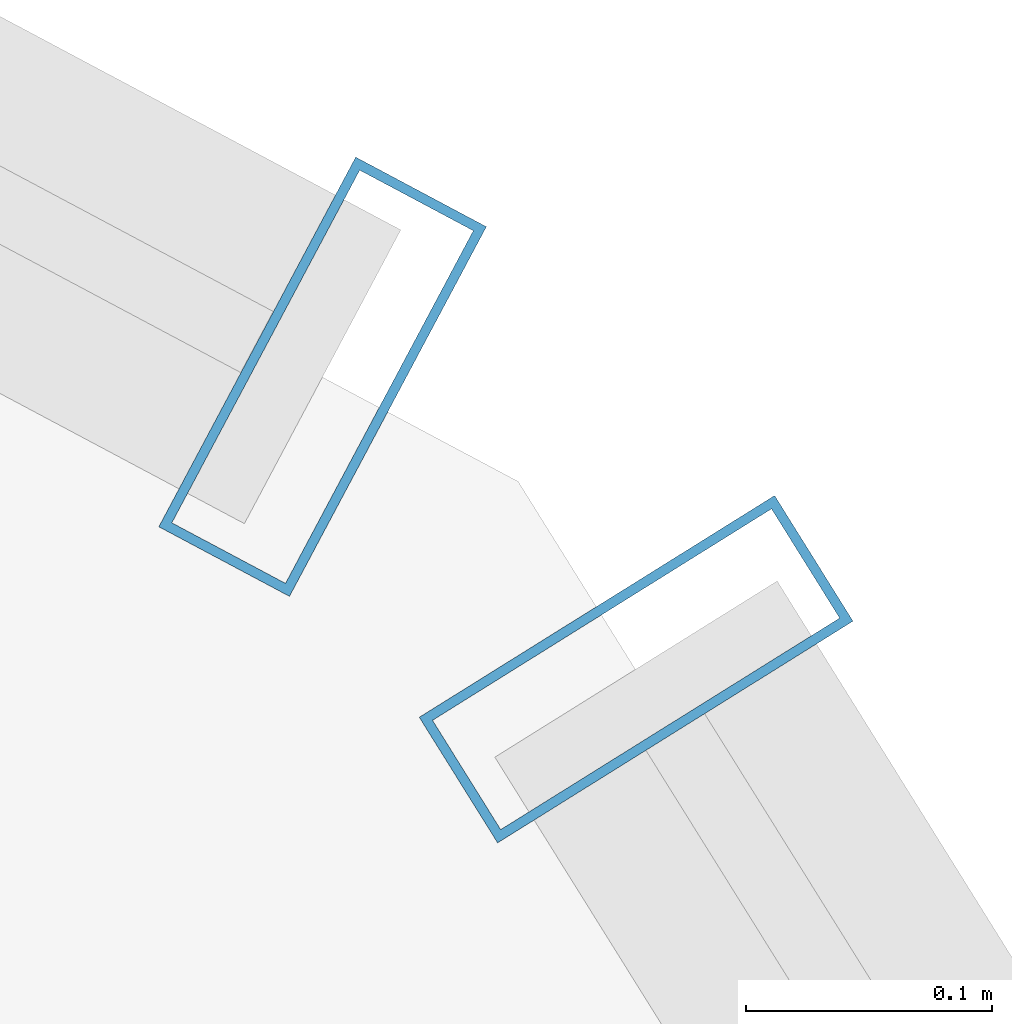
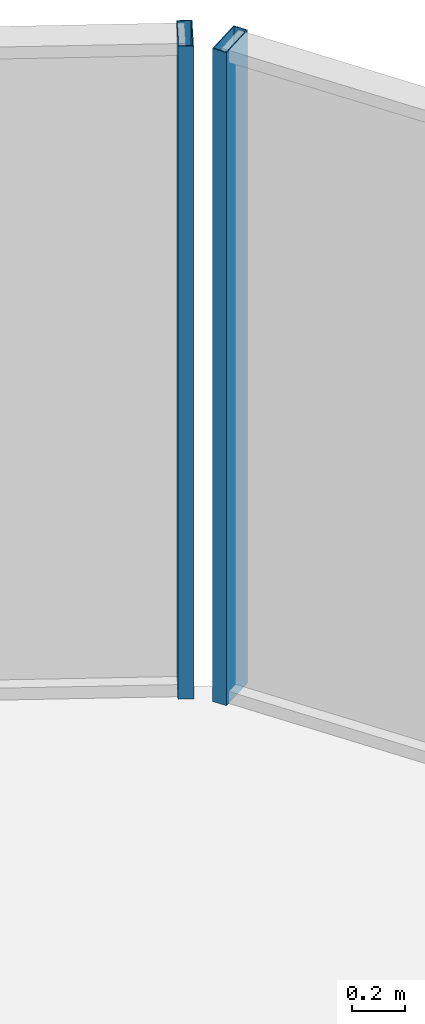
# One storey, part 33 of 39: 2 members, 2 elements without a shape of their own.
"""IFC4 building model written with IfcOpenShell, lengths in metres."""

from ifc_helpers import new_model, si_unit, direction, frame, origin, origin_2d, place, context, subcontext, project, spatial, hollow_rectangle, extrude, source, transform, mapped, material, layer, layer_set, material_profile, profile_set, type_object, element, aggregate, save


model = new_model("IFC4")

# Units and contexts
model_context = context("Model", 3, precision=1e-05, world=origin(), true_north=direction((0.0, 1.0)))
body_context = subcontext(model_context, "Body", "Model", "MODEL_VIEW")
ifc_project = project(units=[si_unit("LENGTHUNIT", "METRE"), si_unit("AREAUNIT", "SQUARE_METRE"), si_unit("VOLUMEUNIT", "CUBIC_METRE"), si_unit("PLANEANGLEUNIT", "RADIAN"), si_unit("MASSUNIT", "GRAM", prefix="KILO")], contexts=[model_context])

# Site, building, storey
site_placement = place(None, origin())
site = spatial("IfcSite", under=ifc_project, at=site_placement, CompositionType="ELEMENT")
building_placement = place(site_placement, origin())
building = spatial("IfcBuilding", under=site, at=building_placement, Name="Veraguas Prism Commons", CompositionType="ELEMENT")
storey_placement = place(building_placement, frame((0.0, 0.0, 30.550048828125)))
storey = spatial("IfcBuildingStorey", under=building, at=storey_placement, Name="L07", CompositionType="ELEMENT", Elevation=30.550048828125)

# Curtain wall, member
ifc_material = material(Name="Anodised aluminium EN AW-6063 T6", Category="aluminium")
ifc_layer = layer(ifc_material, 0.169921875, Name="Unitised Flush Curtain Wall Zone 1", Category="aluminium")
ifc_layer_set = layer_set([ifc_layer], Name="Anodised aluminium EN AW-6063 T6")
curtain_wall_type = type_object("IfcCurtainWallType", Name="Unitised Flush Curtain Wall Zone 1", PredefinedType="NOTDEFINED", material=ifc_layer_set)
curtain_wall_1_placement = place(storey_placement, origin())
curtain_wall_1 = element("IfcCurtainWall", 1, at=curtain_wall_1_placement, inside=storey, type_object=curtain_wall_type, Name="Tower Facade Curtain Wall L07-F1", PredefinedType="NOTDEFINED")
ifc_material_profile = material_profile(ifc_material, hollow_rectangle(XDim=0.06005859375, YDim=0.169921875, WallThickness=0.00390625, at=origin_2d()), Name="AL60X170X4")
ifc_profile_set = profile_set([ifc_material_profile], Name="Anodised aluminium EN AW-6063 T6")
member_type = type_object("IfcMemberType", Name="Curtain Wall Mullion Lower AL 60x170x4", PredefinedType="MULLION", material=ifc_profile_set)
shared_shape = source(origin(), body_context, "Body", "SweptSolid", [
    extrude(hollow_rectangle(XDim=0.06005859375, YDim=0.169921875, WallThickness=0.00390625, at=origin_2d()), origin(), (0.0, 0.0, 1.0), 3.0),
])
member_1_placement = place(storey_placement, frame((36.705078125, 42.90234375, 0.0), z_axis=(0.0, 0.0, 1.0), x_axis=(-0.529324124343, 0.848419690594, 0.0)))
member_1 = element("IfcMember", 2, at=member_1_placement, type_object=member_type, Name="CW-Z1 Mullion 5", PredefinedType="MULLION", context=body_context, shape_type="MappedRepresentation", body=[
    mapped(shared_shape, transform((0.0, 0.0, 0.0), scale=1.0)),
])
aggregate(curtain_wall_1, [member_1])

curtain_wall_2_placement = place(storey_placement, origin())
curtain_wall_2 = element("IfcCurtainWall", 3, at=curtain_wall_2_placement, inside=storey, type_object=curtain_wall_type, Name="Chamfer Curtain Wall L07-C2", PredefinedType="NOTDEFINED")
member_2_placement = place(storey_placement, frame((36.577880859375, 43.02099609375, 0.0), z_axis=(0.0, 0.0, 1.0), x_axis=(-0.882609779045, 0.470106347472, 0.0)))
member_2 = element("IfcMember", 4, at=member_2_placement, type_object=member_type, Name="CW-Z1 Mullion 1", PredefinedType="MULLION", context=body_context, shape_type="MappedRepresentation", body=[
    mapped(shared_shape, transform((0.0, 0.0, 0.0), scale=1.0)),
])
aggregate(curtain_wall_2, [member_2])

save(model, "model.ifc")
